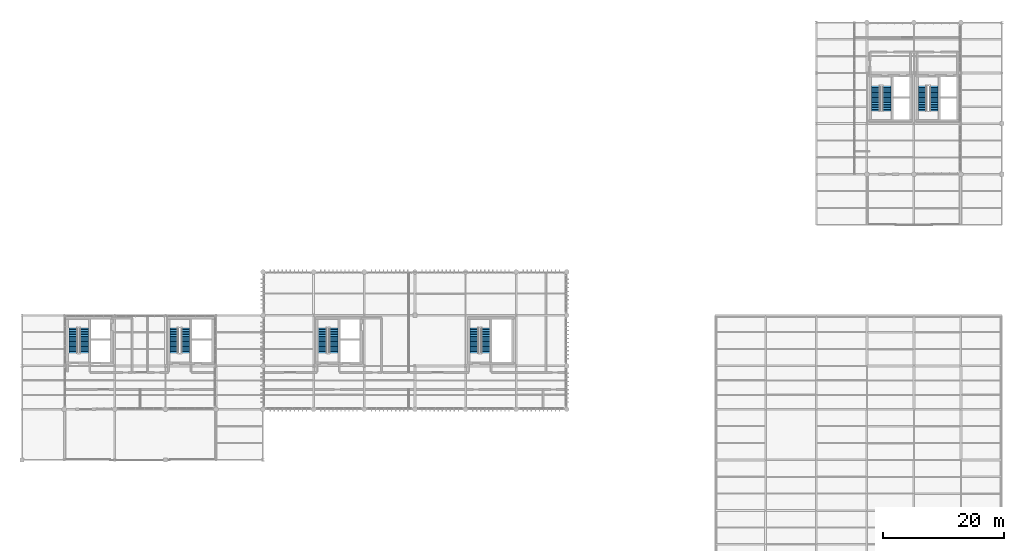
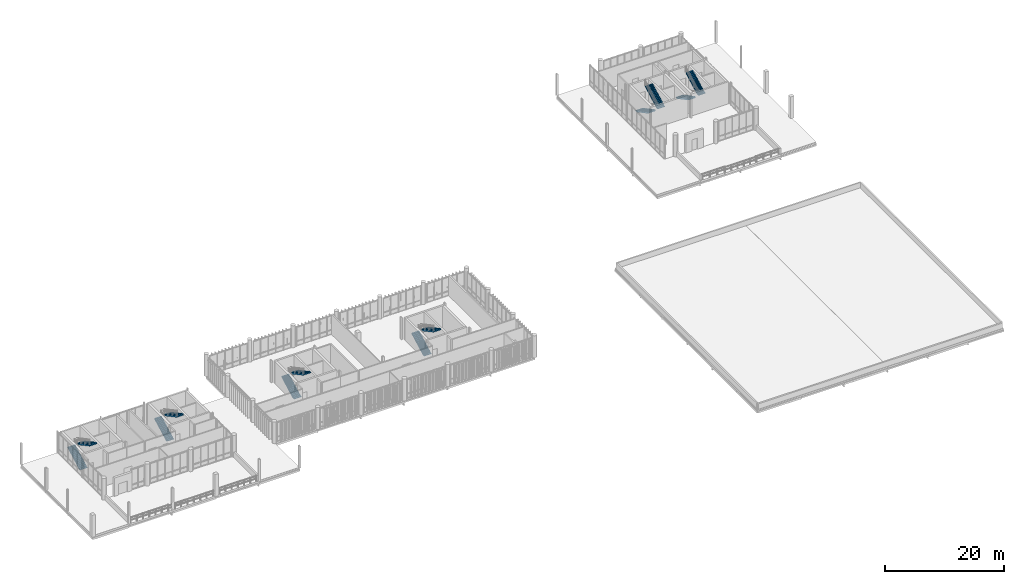
# One storey, part 61 of 68: 12 stair flights, 6 elements without a shape of their own.
"""IFC4 building model written with IfcOpenShell, lengths in metres."""

from ifc_helpers import new_model, si_unit, direction, frame, origin_with_axes, place, context, subcontext, project, spatial, polyline, outline, extrude, material, type_object, element, aggregate, save


model = new_model("IFC4")

# Units and contexts
model_context = context("Model", 3, precision=1e-05, world=origin_with_axes(), true_north=direction((0.0, 1.0)))
body_context = subcontext(model_context, "Body", "Model", "MODEL_VIEW")
ifc_project = project(units=[si_unit("LENGTHUNIT", "METRE"), si_unit("AREAUNIT", "SQUARE_METRE"), si_unit("VOLUMEUNIT", "CUBIC_METRE"), si_unit("PLANEANGLEUNIT", "RADIAN"), si_unit("MASSUNIT", "GRAM", prefix="KILO"), si_unit("THERMODYNAMICTEMPERATUREUNIT", "KELVIN")], contexts=[model_context])

# Site, building, storey
site_placement = place(None, origin_with_axes())
site = spatial("IfcSite", under=ifc_project, at=site_placement, CompositionType="ELEMENT")
building_placement = place(site_placement, origin_with_axes())
building = spatial("IfcBuilding", under=site, at=building_placement, Name="Montbau Bow Law Courts", CompositionType="ELEMENT")
storey_placement = place(building_placement, frame((0.0, 0.0, 20.4), z_axis=(0.0, 0.0, 1.0), x_axis=(1.0, 0.0, 0.0)))
storey = spatial("IfcBuildingStorey", under=building, at=storey_placement, Name="L04", CompositionType="ELEMENT", Elevation=20.4)

# Stair, stair flights
ifc_material = material(Name="Concrete CSA A23.1 f'c 40 MPa", Category="concrete")
stair_type_1 = type_object("IfcStairType", Name="ST-JUD-1500", PredefinedType="HALF_TURN_STAIR", material=ifc_material)
stair_1_placement = place(None, frame((32.05, 48.3, 20.4), z_axis=(0.0, 0.0, 1.0), x_axis=(1.0, 0.0, 0.0)))
stair_1 = element("IfcStair", 1, at=stair_1_placement, inside=storey, type_object=stair_type_1, Name="ST-J1-L04:str_0014", PredefinedType="HALF_TURN_STAIR")
stair_flight_type_1 = type_object("IfcStairFlightType", Name="SF-RC-1500A", PredefinedType="STRAIGHT", material=ifc_material)
stair_flight_1_placement = place(None, frame((32.05, 48.3, 20.4), z_axis=(0.0, 0.0, 1.0), x_axis=(0.0, 1.0, 0.0)))
stair_flight_1 = element("IfcStairFlight", 2, at=stair_flight_1_placement, type_object=stair_flight_type_1, Name="ST-J1-L04-F1:str_0014_F1", NumberOfRisers=15, NumberOfTreads=14, PredefinedType="STRAIGHT", RiserHeight=0.15, TreadLength=0.28, context=body_context, shape_type="SweptSolid", body=[
    extrude(outline(polyline([(0.0, 0.0), (0.0, 0.15), (0.28, 0.15), (0.28, 0.3), (0.56, 0.3), (0.56, 0.45), (0.84, 0.45), (0.84, 0.6), (1.12, 0.6), (1.12, 0.75), (1.4, 0.75), (1.4, 0.9), (1.68, 0.9), (1.68, 1.05), (1.96, 1.05), (1.96, 1.2), (2.24, 1.2), (2.24, 1.35), (2.52, 1.35), (2.52, 1.5), (2.8, 1.5), (2.8, 1.65), (3.08, 1.65), (3.08, 1.8), (3.36, 1.8), (3.36, 1.95), (3.64, 1.95), (3.64, 2.1), (3.92, 2.1), (3.92, 2.25), (4.2, 2.25), (4.2, 2.011764), (0.444707, 0.0), (0.0, 0.0)])), frame((0.0, 0.67, 0.0), z_axis=(0.0, -1.0, 0.0), x_axis=(1.0, 0.0, 0.0)), (0.0, 0.0, 1.0), 1.34),
])
stair_flight_2_placement = place(None, frame((33.96, 52.5, 22.65), z_axis=(0.0, 0.0, 1.0), x_axis=(0.0, -1.0, 0.0)))
stair_flight_2 = element("IfcStairFlight", 3, at=stair_flight_2_placement, type_object=stair_flight_type_1, Name="ST-J1-L04-F2:str_0014_F2", NumberOfRisers=15, NumberOfTreads=14, PredefinedType="STRAIGHT", RiserHeight=0.15, TreadLength=0.28, context=body_context, shape_type="SweptSolid", body=[
    extrude(outline(polyline([(0.0, 0.0), (0.0, 0.15), (0.28, 0.15), (0.28, 0.3), (0.56, 0.3), (0.56, 0.45), (0.84, 0.45), (0.84, 0.6), (1.12, 0.6), (1.12, 0.75), (1.4, 0.75), (1.4, 0.9), (1.68, 0.9), (1.68, 1.05), (1.96, 1.05), (1.96, 1.2), (2.24, 1.2), (2.24, 1.35), (2.52, 1.35), (2.52, 1.5), (2.8, 1.5), (2.8, 1.65), (3.08, 1.65), (3.08, 1.8), (3.36, 1.8), (3.36, 1.95), (3.64, 1.95), (3.64, 2.1), (3.92, 2.1), (3.92, 2.25), (4.2, 2.25), (4.2, 2.011764), (0.444707, 0.0), (0.0, 0.0)])), frame((0.0, 0.67, 0.0), z_axis=(0.0, -1.0, 0.0), x_axis=(1.0, 0.0, 0.0)), (0.0, 0.0, 1.0), 1.34),
])
aggregate(stair_1, [stair_flight_1, stair_flight_2])

stair_2_placement = place(None, frame((156.25, 92.7, 20.4), z_axis=(0.0, 0.0, 1.0), x_axis=(1.0, 0.0, 0.0)))
stair_2 = element("IfcStair", 4, at=stair_2_placement, inside=storey, type_object=stair_type_1, Name="ST-J2-L04:str_0049", PredefinedType="HALF_TURN_STAIR")
stair_flight_3_placement = place(None, frame((156.25, 92.7, 20.4), z_axis=(0.0, 0.0, 1.0), x_axis=(0.0, -1.0, 0.0)))
stair_flight_3 = element("IfcStairFlight", 5, at=stair_flight_3_placement, type_object=stair_flight_type_1, Name="ST-J2-L04-F1:str_0049_F1", NumberOfRisers=15, NumberOfTreads=14, PredefinedType="STRAIGHT", RiserHeight=0.15, TreadLength=0.28, context=body_context, shape_type="SweptSolid", body=[
    extrude(outline(polyline([(0.0, 0.0), (0.0, 0.15), (0.28, 0.15), (0.28, 0.3), (0.56, 0.3), (0.56, 0.45), (0.84, 0.45), (0.84, 0.6), (1.12, 0.6), (1.12, 0.75), (1.4, 0.75), (1.4, 0.9), (1.68, 0.9), (1.68, 1.05), (1.96, 1.05), (1.96, 1.2), (2.24, 1.2), (2.24, 1.35), (2.52, 1.35), (2.52, 1.5), (2.8, 1.5), (2.8, 1.65), (3.08, 1.65), (3.08, 1.8), (3.36, 1.8), (3.36, 1.95), (3.64, 1.95), (3.64, 2.1), (3.92, 2.1), (3.92, 2.25), (4.2, 2.25), (4.2, 2.011764), (0.444707, 0.0), (0.0, 0.0)])), frame((0.0, 0.67, 0.0), z_axis=(0.0, -1.0, 0.0), x_axis=(1.0, 0.0, 0.0)), (0.0, 0.0, 1.0), 1.34),
])
stair_flight_4_placement = place(None, frame((158.16, 88.5, 22.65), z_axis=(0.0, 0.0, 1.0), x_axis=(0.0, 1.0, 0.0)))
stair_flight_4 = element("IfcStairFlight", 6, at=stair_flight_4_placement, type_object=stair_flight_type_1, Name="ST-J2-L04-F2:str_0049_F2", NumberOfRisers=15, NumberOfTreads=14, PredefinedType="STRAIGHT", RiserHeight=0.15, TreadLength=0.28, context=body_context, shape_type="SweptSolid", body=[
    extrude(outline(polyline([(0.0, 0.0), (0.0, 0.15), (0.28, 0.15), (0.28, 0.3), (0.56, 0.3), (0.56, 0.45), (0.84, 0.45), (0.84, 0.6), (1.12, 0.6), (1.12, 0.75), (1.4, 0.75), (1.4, 0.9), (1.68, 0.9), (1.68, 1.05), (1.96, 1.05), (1.96, 1.2), (2.24, 1.2), (2.24, 1.35), (2.52, 1.35), (2.52, 1.5), (2.8, 1.5), (2.8, 1.65), (3.08, 1.65), (3.08, 1.8), (3.36, 1.8), (3.36, 1.95), (3.64, 1.95), (3.64, 2.1), (3.92, 2.1), (3.92, 2.25), (4.2, 2.25), (4.2, 2.011764), (0.444707, 0.0), (0.0, 0.0)])), frame((0.0, 0.67, 0.0), z_axis=(0.0, -1.0, 0.0), x_axis=(1.0, 0.0, 0.0)), (0.0, 0.0, 1.0), 1.34),
])
aggregate(stair_2, [stair_flight_3, stair_flight_4])

stair_type_2 = type_object("IfcStairType", Name="ST-PUB-1800", PredefinedType="HALF_TURN_STAIR", material=ifc_material)
stair_3_placement = place(None, frame((15.29, 48.3, 20.4), z_axis=(0.0, 0.0, 1.0), x_axis=(1.0, 0.0, 0.0)))
stair_3 = element("IfcStair", 7, at=stair_3_placement, inside=storey, type_object=stair_type_2, Name="ST-P1-L04:str_0006", PredefinedType="HALF_TURN_STAIR")
stair_flight_type_2 = type_object("IfcStairFlightType", Name="SF-RC-1800A", PredefinedType="STRAIGHT", material=ifc_material)
stair_flight_5_placement = place(None, frame((15.29, 48.3, 20.4), z_axis=(0.0, 0.0, 1.0), x_axis=(0.0, 1.0, 0.0)))
stair_flight_5 = element("IfcStairFlight", 8, at=stair_flight_5_placement, type_object=stair_flight_type_2, Name="ST-P1-L04-F1:str_0006_F1", NumberOfRisers=15, NumberOfTreads=14, PredefinedType="STRAIGHT", RiserHeight=0.15, TreadLength=0.28, context=body_context, shape_type="SweptSolid", body=[
    extrude(outline(polyline([(0.0, 0.0), (0.0, 0.15), (0.28, 0.15), (0.28, 0.3), (0.56, 0.3), (0.56, 0.45), (0.84, 0.45), (0.84, 0.6), (1.12, 0.6), (1.12, 0.75), (1.4, 0.75), (1.4, 0.9), (1.68, 0.9), (1.68, 1.05), (1.96, 1.05), (1.96, 1.2), (2.24, 1.2), (2.24, 1.35), (2.52, 1.35), (2.52, 1.5), (2.8, 1.5), (2.8, 1.65), (3.08, 1.65), (3.08, 1.8), (3.36, 1.8), (3.36, 1.95), (3.64, 1.95), (3.64, 2.1), (3.92, 2.1), (3.92, 2.25), (4.2, 2.25), (4.2, 2.011764), (0.444707, 0.0), (0.0, 0.0)])), frame((0.0, 0.71, 0.0), z_axis=(0.0, -1.0, 0.0), x_axis=(1.0, 0.0, 0.0)), (0.0, 0.0, 1.0), 1.42),
])
stair_flight_6_placement = place(None, frame((17.12, 52.5, 22.65), z_axis=(0.0, 0.0, 1.0), x_axis=(0.0, -1.0, 0.0)))
stair_flight_6 = element("IfcStairFlight", 9, at=stair_flight_6_placement, type_object=stair_flight_type_2, Name="ST-P1-L04-F2:str_0006_F2", NumberOfRisers=15, NumberOfTreads=14, PredefinedType="STRAIGHT", RiserHeight=0.15, TreadLength=0.28, context=body_context, shape_type="SweptSolid", body=[
    extrude(outline(polyline([(0.0, 0.0), (0.0, 0.15), (0.28, 0.15), (0.28, 0.3), (0.56, 0.3), (0.56, 0.45), (0.84, 0.45), (0.84, 0.6), (1.12, 0.6), (1.12, 0.75), (1.4, 0.75), (1.4, 0.9), (1.68, 0.9), (1.68, 1.05), (1.96, 1.05), (1.96, 1.2), (2.24, 1.2), (2.24, 1.35), (2.52, 1.35), (2.52, 1.5), (2.8, 1.5), (2.8, 1.65), (3.08, 1.65), (3.08, 1.8), (3.36, 1.8), (3.36, 1.95), (3.64, 1.95), (3.64, 2.1), (3.92, 2.1), (3.92, 2.25), (4.2, 2.25), (4.2, 2.011764), (0.444707, 0.0), (0.0, 0.0)])), frame((0.0, 0.71, 0.0), z_axis=(0.0, -1.0, 0.0), x_axis=(1.0, 0.0, 0.0)), (0.0, 0.0, 1.0), 1.42),
])
aggregate(stair_3, [stair_flight_5, stair_flight_6])

stair_4_placement = place(None, frame((56.69, 48.3, 20.4), z_axis=(0.0, 0.0, 1.0), x_axis=(1.0, 0.0, 0.0)))
stair_4 = element("IfcStair", 10, at=stair_4_placement, inside=storey, type_object=stair_type_2, Name="ST-P4-L04:str_0022", PredefinedType="HALF_TURN_STAIR")
stair_flight_7_placement = place(None, frame((56.69, 48.3, 20.4), z_axis=(0.0, 0.0, 1.0), x_axis=(0.0, 1.0, 0.0)))
stair_flight_7 = element("IfcStairFlight", 11, at=stair_flight_7_placement, type_object=stair_flight_type_2, Name="ST-P4-L04-F1:str_0022_F1", NumberOfRisers=15, NumberOfTreads=14, PredefinedType="STRAIGHT", RiserHeight=0.15, TreadLength=0.28, context=body_context, shape_type="SweptSolid", body=[
    extrude(outline(polyline([(0.0, 0.0), (0.0, 0.15), (0.28, 0.15), (0.28, 0.3), (0.56, 0.3), (0.56, 0.45), (0.84, 0.45), (0.84, 0.6), (1.12, 0.6), (1.12, 0.75), (1.4, 0.75), (1.4, 0.9), (1.68, 0.9), (1.68, 1.05), (1.96, 1.05), (1.96, 1.2), (2.24, 1.2), (2.24, 1.35), (2.52, 1.35), (2.52, 1.5), (2.8, 1.5), (2.8, 1.65), (3.08, 1.65), (3.08, 1.8), (3.36, 1.8), (3.36, 1.95), (3.64, 1.95), (3.64, 2.1), (3.92, 2.1), (3.92, 2.25), (4.2, 2.25), (4.2, 2.011764), (0.444707, 0.0), (0.0, 0.0)])), frame((0.0, 0.71, 0.0), z_axis=(0.0, -1.0, 0.0), x_axis=(1.0, 0.0, 0.0)), (0.0, 0.0, 1.0), 1.42),
])
stair_flight_8_placement = place(None, frame((58.52, 52.5, 22.65), z_axis=(0.0, 0.0, 1.0), x_axis=(0.0, -1.0, 0.0)))
stair_flight_8 = element("IfcStairFlight", 12, at=stair_flight_8_placement, type_object=stair_flight_type_2, Name="ST-P4-L04-F2:str_0022_F2", NumberOfRisers=15, NumberOfTreads=14, PredefinedType="STRAIGHT", RiserHeight=0.15, TreadLength=0.28, context=body_context, shape_type="SweptSolid", body=[
    extrude(outline(polyline([(0.0, 0.0), (0.0, 0.15), (0.28, 0.15), (0.28, 0.3), (0.56, 0.3), (0.56, 0.45), (0.84, 0.45), (0.84, 0.6), (1.12, 0.6), (1.12, 0.75), (1.4, 0.75), (1.4, 0.9), (1.68, 0.9), (1.68, 1.05), (1.96, 1.05), (1.96, 1.2), (2.24, 1.2), (2.24, 1.35), (2.52, 1.35), (2.52, 1.5), (2.8, 1.5), (2.8, 1.65), (3.08, 1.65), (3.08, 1.8), (3.36, 1.8), (3.36, 1.95), (3.64, 1.95), (3.64, 2.1), (3.92, 2.1), (3.92, 2.25), (4.2, 2.25), (4.2, 2.011764), (0.444707, 0.0), (0.0, 0.0)])), frame((0.0, 0.71, 0.0), z_axis=(0.0, -1.0, 0.0), x_axis=(1.0, 0.0, 0.0)), (0.0, 0.0, 1.0), 1.42),
])
aggregate(stair_4, [stair_flight_7, stair_flight_8])

stair_5_placement = place(None, frame((81.89, 48.3, 20.4), z_axis=(0.0, 0.0, 1.0), x_axis=(1.0, 0.0, 0.0)))
stair_5 = element("IfcStair", 13, at=stair_5_placement, inside=storey, type_object=stair_type_2, Name="ST-P3-L04:str_0030", PredefinedType="HALF_TURN_STAIR")
stair_flight_9_placement = place(None, frame((81.89, 48.3, 20.4), z_axis=(0.0, 0.0, 1.0), x_axis=(0.0, 1.0, 0.0)))
stair_flight_9 = element("IfcStairFlight", 14, at=stair_flight_9_placement, type_object=stair_flight_type_2, Name="ST-P3-L04-F1:str_0030_F1", NumberOfRisers=15, NumberOfTreads=14, PredefinedType="STRAIGHT", RiserHeight=0.15, TreadLength=0.28, context=body_context, shape_type="SweptSolid", body=[
    extrude(outline(polyline([(0.0, 0.0), (0.0, 0.15), (0.28, 0.15), (0.28, 0.3), (0.56, 0.3), (0.56, 0.45), (0.84, 0.45), (0.84, 0.6), (1.12, 0.6), (1.12, 0.75), (1.4, 0.75), (1.4, 0.9), (1.68, 0.9), (1.68, 1.05), (1.96, 1.05), (1.96, 1.2), (2.24, 1.2), (2.24, 1.35), (2.52, 1.35), (2.52, 1.5), (2.8, 1.5), (2.8, 1.65), (3.08, 1.65), (3.08, 1.8), (3.36, 1.8), (3.36, 1.95), (3.64, 1.95), (3.64, 2.1), (3.92, 2.1), (3.92, 2.25), (4.2, 2.25), (4.2, 2.011764), (0.444707, 0.0), (0.0, 0.0)])), frame((0.0, 0.71, 0.0), z_axis=(0.0, -1.0, 0.0), x_axis=(1.0, 0.0, 0.0)), (0.0, 0.0, 1.0), 1.42),
])
stair_flight_10_placement = place(None, frame((83.72, 52.5, 22.65), z_axis=(0.0, 0.0, 1.0), x_axis=(0.0, -1.0, 0.0)))
stair_flight_10 = element("IfcStairFlight", 15, at=stair_flight_10_placement, type_object=stair_flight_type_2, Name="ST-P3-L04-F2:str_0030_F2", NumberOfRisers=15, NumberOfTreads=14, PredefinedType="STRAIGHT", RiserHeight=0.15, TreadLength=0.28, context=body_context, shape_type="SweptSolid", body=[
    extrude(outline(polyline([(0.0, 0.0), (0.0, 0.15), (0.28, 0.15), (0.28, 0.3), (0.56, 0.3), (0.56, 0.45), (0.84, 0.45), (0.84, 0.6), (1.12, 0.6), (1.12, 0.75), (1.4, 0.75), (1.4, 0.9), (1.68, 0.9), (1.68, 1.05), (1.96, 1.05), (1.96, 1.2), (2.24, 1.2), (2.24, 1.35), (2.52, 1.35), (2.52, 1.5), (2.8, 1.5), (2.8, 1.65), (3.08, 1.65), (3.08, 1.8), (3.36, 1.8), (3.36, 1.95), (3.64, 1.95), (3.64, 2.1), (3.92, 2.1), (3.92, 2.25), (4.2, 2.25), (4.2, 2.011764), (0.444707, 0.0), (0.0, 0.0)])), frame((0.0, 0.71, 0.0), z_axis=(0.0, -1.0, 0.0), x_axis=(1.0, 0.0, 0.0)), (0.0, 0.0, 1.0), 1.42),
])
aggregate(stair_5, [stair_flight_9, stair_flight_10])

stair_6_placement = place(None, frame((148.49, 92.7, 20.4), z_axis=(0.0, 0.0, 1.0), x_axis=(1.0, 0.0, 0.0)))
stair_6 = element("IfcStair", 16, at=stair_6_placement, inside=storey, type_object=stair_type_2, Name="ST-P2-L04:str_0038", PredefinedType="HALF_TURN_STAIR")
stair_flight_11_placement = place(None, frame((148.49, 92.7, 20.4), z_axis=(0.0, 0.0, 1.0), x_axis=(0.0, -1.0, 0.0)))
stair_flight_11 = element("IfcStairFlight", 17, at=stair_flight_11_placement, type_object=stair_flight_type_2, Name="ST-P2-L04-F1:str_0038_F1", NumberOfRisers=15, NumberOfTreads=14, PredefinedType="STRAIGHT", RiserHeight=0.15, TreadLength=0.28, context=body_context, shape_type="SweptSolid", body=[
    extrude(outline(polyline([(0.0, 0.0), (0.0, 0.15), (0.28, 0.15), (0.28, 0.3), (0.56, 0.3), (0.56, 0.45), (0.84, 0.45), (0.84, 0.6), (1.12, 0.6), (1.12, 0.75), (1.4, 0.75), (1.4, 0.9), (1.68, 0.9), (1.68, 1.05), (1.96, 1.05), (1.96, 1.2), (2.24, 1.2), (2.24, 1.35), (2.52, 1.35), (2.52, 1.5), (2.8, 1.5), (2.8, 1.65), (3.08, 1.65), (3.08, 1.8), (3.36, 1.8), (3.36, 1.95), (3.64, 1.95), (3.64, 2.1), (3.92, 2.1), (3.92, 2.25), (4.2, 2.25), (4.2, 2.011764), (0.444707, 0.0), (0.0, 0.0)])), frame((0.0, 0.71, 0.0), z_axis=(0.0, -1.0, 0.0), x_axis=(1.0, 0.0, 0.0)), (0.0, 0.0, 1.0), 1.42),
])
stair_flight_12_placement = place(None, frame((150.32, 88.5, 22.65), z_axis=(0.0, 0.0, 1.0), x_axis=(0.0, 1.0, 0.0)))
stair_flight_12 = element("IfcStairFlight", 18, at=stair_flight_12_placement, type_object=stair_flight_type_2, Name="ST-P2-L04-F2:str_0038_F2", NumberOfRisers=15, NumberOfTreads=14, PredefinedType="STRAIGHT", RiserHeight=0.15, TreadLength=0.28, context=body_context, shape_type="SweptSolid", body=[
    extrude(outline(polyline([(0.0, 0.0), (0.0, 0.15), (0.28, 0.15), (0.28, 0.3), (0.56, 0.3), (0.56, 0.45), (0.84, 0.45), (0.84, 0.6), (1.12, 0.6), (1.12, 0.75), (1.4, 0.75), (1.4, 0.9), (1.68, 0.9), (1.68, 1.05), (1.96, 1.05), (1.96, 1.2), (2.24, 1.2), (2.24, 1.35), (2.52, 1.35), (2.52, 1.5), (2.8, 1.5), (2.8, 1.65), (3.08, 1.65), (3.08, 1.8), (3.36, 1.8), (3.36, 1.95), (3.64, 1.95), (3.64, 2.1), (3.92, 2.1), (3.92, 2.25), (4.2, 2.25), (4.2, 2.011764), (0.444707, 0.0), (0.0, 0.0)])), frame((0.0, 0.71, 0.0), z_axis=(0.0, -1.0, 0.0), x_axis=(1.0, 0.0, 0.0)), (0.0, 0.0, 1.0), 1.42),
])
aggregate(stair_6, [stair_flight_11, stair_flight_12])

save(model, "model.ifc")
